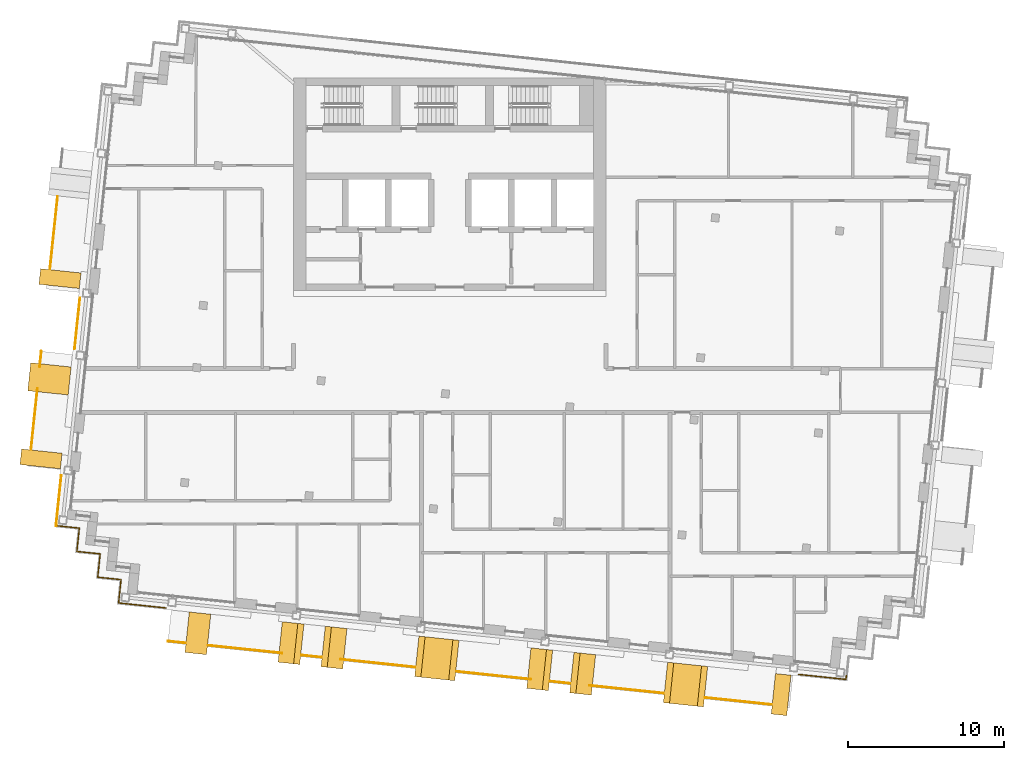
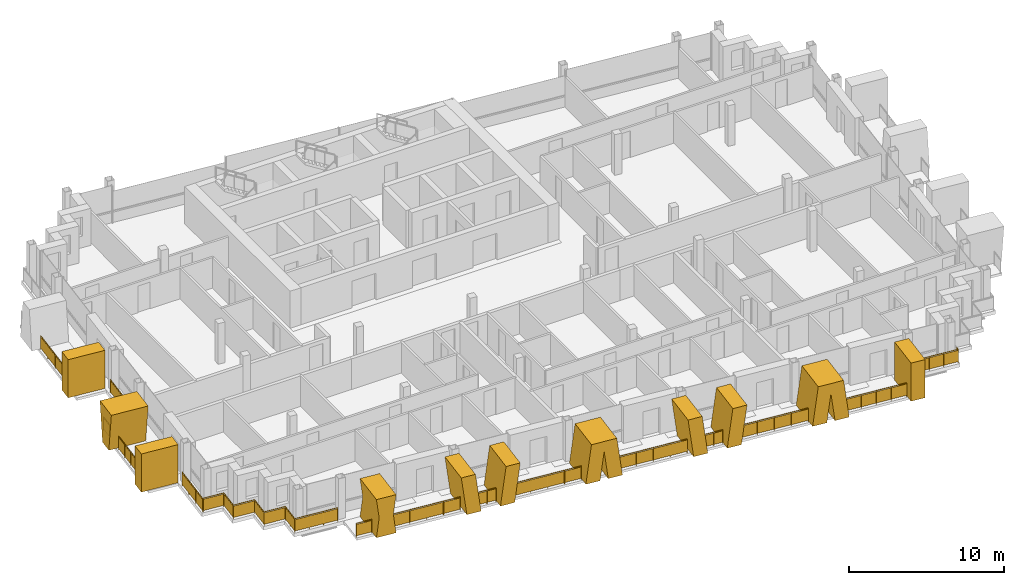
# One storey, part 14 of 17: 15 railings, 11 shading devices.
"""IFC4 building model written with IfcOpenShell, lengths in metres."""

from ifc_helpers import new_model, si_unit, direction, frame, origin, origin_2d, place, context, subcontext, project, spatial, polyline, rectangle, circle, outline, extrude, material, layer, layer_set, type_object, element, save


model = new_model("IFC4")

# Units and contexts
model_context = context("Model", 3, precision=1e-05, world=origin(), true_north=direction((0.0, 1.0)))
body_context = subcontext(model_context, "Body", "Model", "MODEL_VIEW")
ifc_project = project(units=[si_unit("LENGTHUNIT", "METRE"), si_unit("AREAUNIT", "SQUARE_METRE"), si_unit("VOLUMEUNIT", "CUBIC_METRE"), si_unit("PLANEANGLEUNIT", "RADIAN"), si_unit("MASSUNIT", "GRAM", prefix="KILO")], contexts=[model_context])

# Site, building, storey
site_placement = place(None, origin())
site = spatial("IfcSite", under=ifc_project, at=site_placement, CompositionType="ELEMENT")
building_placement = place(site_placement, origin())
building = spatial("IfcBuilding", under=site, at=building_placement, Name="Vidyagriha Tower", CompositionType="ELEMENT")
storey_placement = place(building_placement, frame((0.0, 0.0, 262.699951171875)))
storey = spatial("IfcBuildingStorey", under=building, at=storey_placement, Name="L68", CompositionType="ELEMENT", Elevation=262.699951171875)

# Railings
ifc_material_1 = material(Name="Steel ASTM A500 Grade C black painted", Category="steel")
railing_type_1 = type_object("IfcRailingType", Name="Balcony guard 1100", PredefinedType="BALUSTRADE", material=ifc_material_1)
railing_1_placement = place(storey_placement, frame((-25.09521484375, 12.40185546875, 0.0)))
element("IfcRailing", 1, at=railing_1_placement, inside=storey, type_object=railing_type_1, Name="Balcony guard L68 R14.1-2", PredefinedType="BALUSTRADE", context=body_context, shape_type="SweptSolid", body=[
    extrude(circle(Radius=0.02490234375, at=origin_2d()), frame((0.0, 0.0, 1.0751953125), z_axis=(-0.104534465087, -0.994521264533, 0.0), x_axis=(0.994521264533, -0.104534465087, 0.0)), (0.0, 0.0, 1.0), 4.64990234375),
    extrude(circle(Radius=0.02001953125, at=origin_2d()), origin(), (0.0, 0.0, 1.0), 1.050048828125),
    extrude(circle(Radius=0.02001953125, at=origin_2d()), frame((-0.12158203125, -1.15625, 0.0)), (0.0, 0.0, 1.0), 1.050048828125),
    extrude(circle(Radius=0.02001953125, at=origin_2d()), frame((-0.2431640625, -2.312255859375, 0.0)), (0.0, 0.0, 1.0), 1.050048828125),
    extrude(circle(Radius=0.02001953125, at=origin_2d()), frame((-0.364501953125, -3.46826171875, 0.0)), (0.0, 0.0, 1.0), 1.050048828125),
    extrude(circle(Radius=0.02001953125, at=origin_2d()), frame((-0.486083984375, -4.62451171875, 0.0)), (0.0, 0.0, 1.0), 1.050048828125),
    extrude(rectangle(XDim=0.010009765625, YDim=0.900146484375, at=origin_2d()), frame((0.0, 0.0, 0.550048828125), z_axis=(-0.104534465087, -0.994521264533, 0.0), x_axis=(0.994521264533, -0.104534465087, 0.0)), (0.0, 0.0, 1.0), 4.64990234375),
])
railing_2_placement = place(storey_placement, frame((-26.13525390625, 2.50634765625, 0.0)))
element("IfcRailing", 2, at=railing_2_placement, inside=storey, type_object=railing_type_1, Name="Balcony guard L68 R14.2-1", PredefinedType="BALUSTRADE", context=body_context, shape_type="SweptSolid", body=[
    extrude(circle(Radius=0.02490234375, at=origin_2d()), frame((0.0, 0.0, 1.0751953125), z_axis=(-0.104595526741, -0.994514844427, 0.0), x_axis=(0.994514844427, -0.104595526741, 0.0)), (0.0, 0.0, 1.0), 0.99658203125),
    extrude(circle(Radius=0.02001953125, at=origin_2d()), origin(), (0.0, 0.0, 1.0), 1.050048828125),
    extrude(circle(Radius=0.02001953125, at=origin_2d()), frame((-0.104248046875, -0.9912109375, 0.0)), (0.0, 0.0, 1.0), 1.050048828125),
    extrude(rectangle(XDim=0.010009765625, YDim=0.900146484375, at=origin_2d()), frame((0.0, 0.0, 0.550048828125), z_axis=(-0.104595526741, -0.994514844427, 0.0), x_axis=(0.994514844427, -0.104595526741, 0.0)), (0.0, 0.0, 1.0), 0.99658203125),
])
railing_3_placement = place(storey_placement, frame((-26.386474609375, 0.1162109375, 0.0)))
element("IfcRailing", 3, at=railing_3_placement, inside=storey, type_object=railing_type_1, Name="Balcony guard L68 R14.2-2", PredefinedType="BALUSTRADE", context=body_context, shape_type="SweptSolid", body=[
    extrude(circle(Radius=0.02490234375, at=origin_2d()), frame((0.0, 0.0, 1.0751953125), z_axis=(-0.104570632183, -0.994517462333, 0.0), x_axis=(0.994517462333, -0.104570632183, 0.0)), (0.0, 0.0, 1.0), 3.896728515625),
    extrude(circle(Radius=0.02001953125, at=origin_2d()), origin(), (0.0, 0.0, 1.0), 1.050048828125),
    extrude(circle(Radius=0.02001953125, at=origin_2d()), frame((-0.101806640625, -0.96875, 0.0)), (0.0, 0.0, 1.0), 1.050048828125),
    extrude(circle(Radius=0.02001953125, at=origin_2d()), frame((-0.20361328125, -1.9375, 0.0)), (0.0, 0.0, 1.0), 1.050048828125),
    extrude(circle(Radius=0.02001953125, at=origin_2d()), frame((-0.3056640625, -2.906494140625, 0.0)), (0.0, 0.0, 1.0), 1.050048828125),
    extrude(circle(Radius=0.02001953125, at=origin_2d()), frame((-0.407470703125, -3.875244140625, 0.0)), (0.0, 0.0, 1.0), 1.050048828125),
    extrude(rectangle(XDim=0.010009765625, YDim=0.900146484375, at=origin_2d()), frame((0.0, 0.0, 0.550048828125), z_axis=(-0.104570632183, -0.994517462333, 0.0), x_axis=(0.994517462333, -0.104570632183, 0.0)), (0.0, 0.0, 1.0), 3.896728515625),
])
railing_4_placement = place(storey_placement, frame((-18.02978515625, -16.04248046875, 0.0)))
element("IfcRailing", 4, at=railing_4_placement, inside=storey, type_object=railing_type_1, Name="Balcony guard L68 R21.1-1", PredefinedType="BALUSTRADE", context=body_context, shape_type="SweptSolid", body=[
    extrude(circle(Radius=0.02490234375, at=origin_2d()), frame((0.0, 0.0, 1.0751953125), z_axis=(0.994522356151, -0.104524079117, 0.0), x_axis=(0.104524079117, 0.994522356151, 0.0)), (0.0, 0.0, 1.0), 1.107177734375),
    extrude(circle(Radius=0.02001953125, at=origin_2d()), origin(), (0.0, 0.0, 1.0), 1.050048828125),
    extrude(circle(Radius=0.02001953125, at=origin_2d()), frame((1.10107421875, -0.11572265625, 0.0)), (0.0, 0.0, 1.0), 1.050048828125),
    extrude(rectangle(XDim=0.010009765625, YDim=0.900146484375, at=origin_2d()), frame((0.0, 0.0, 0.550048828125), z_axis=(0.994522356151, -0.104524079117, 0.0), x_axis=(0.104524079117, 0.994522356151, 0.0)), (0.0, 0.0, 1.0), 1.107177734375),
])
railing_5_placement = place(storey_placement, frame((-15.450927734375, -16.3134765625, 0.0)))
element("IfcRailing", 5, at=railing_5_placement, inside=storey, type_object=railing_type_1, Name="Balcony guard L68 R21.1-2", PredefinedType="BALUSTRADE", context=body_context, shape_type="SweptSolid", body=[
    extrude(circle(Radius=0.02490234375, at=origin_2d()), frame((0.0, 0.0, 1.0751953125), z_axis=(0.994520665061, -0.104540168196, 0.0), x_axis=(0.104540168196, 0.994520665061, 0.0)), (0.0, 0.0, 1.0), 4.74560546875),
    extrude(circle(Radius=0.02001953125, at=origin_2d()), origin(), (0.0, 0.0, 1.0), 1.050048828125),
    extrude(circle(Radius=0.02001953125, at=origin_2d()), frame((1.179931640625, -0.1240234375, 0.0)), (0.0, 0.0, 1.0), 1.050048828125),
    extrude(circle(Radius=0.02001953125, at=origin_2d()), frame((2.35986328125, -0.248046875, 0.0)), (0.0, 0.0, 1.0), 1.050048828125),
    extrude(circle(Radius=0.02001953125, at=origin_2d()), frame((3.53955078125, -0.3720703125, 0.0)), (0.0, 0.0, 1.0), 1.050048828125),
    extrude(circle(Radius=0.02001953125, at=origin_2d()), frame((4.719482421875, -0.49609375, 0.0)), (0.0, 0.0, 1.0), 1.050048828125),
    extrude(rectangle(XDim=0.010009765625, YDim=0.900146484375, at=origin_2d()), frame((0.0, 0.0, 0.550048828125), z_axis=(0.994520665061, -0.104540168196, 0.0), x_axis=(0.104540168196, 0.994520665061, 0.0)), (0.0, 0.0, 1.0), 4.74560546875),
])
railing_6_placement = place(storey_placement, frame((-9.48681640625, -16.9404296875, 0.0)))
element("IfcRailing", 6, at=railing_6_placement, inside=storey, type_object=railing_type_1, Name="Balcony guard L68 R21.1-3", PredefinedType="BALUSTRADE", context=body_context, shape_type="SweptSolid", body=[
    extrude(circle(Radius=0.02490234375, at=origin_2d()), frame((0.0, 0.0, 1.0751953125), z_axis=(0.994518084438, -0.104564715488, 0.0), x_axis=(0.104564715488, 0.994518084438, 0.0)), (0.0, 0.0, 1.0), 1.270263671875),
    extrude(circle(Radius=0.02001953125, at=origin_2d()), origin(), (0.0, 0.0, 1.0), 1.050048828125),
    extrude(circle(Radius=0.02001953125, at=origin_2d()), frame((0.631591796875, -0.06640625, 0.0)), (0.0, 0.0, 1.0), 1.050048828125),
    extrude(circle(Radius=0.02001953125, at=origin_2d()), frame((1.26318359375, -0.1328125, 0.0)), (0.0, 0.0, 1.0), 1.050048828125),
    extrude(rectangle(XDim=0.010009765625, YDim=0.900146484375, at=origin_2d()), frame((0.0, 0.0, 0.550048828125), z_axis=(0.994518084438, -0.104564715488, 0.0), x_axis=(0.104564715488, 0.994518084438, 0.0)), (0.0, 0.0, 1.0), 1.270263671875),
])
railing_7_placement = place(storey_placement, frame((-6.979248046875, -17.2041015625, 0.0)))
element("IfcRailing", 7, at=railing_7_placement, inside=storey, type_object=railing_type_1, Name="Balcony guard L68 R21.1-4", PredefinedType="BALUSTRADE", context=body_context, shape_type="SweptSolid", body=[
    extrude(circle(Radius=0.02490234375, at=origin_2d()), frame((0.0, 0.0, 1.0751953125), z_axis=(0.994526450542, -0.104485114597, 0.0), x_axis=(0.104485114597, 0.994526450542, 0.0)), (0.0, 0.0, 1.0), 4.773681640625),
    extrude(circle(Radius=0.02001953125, at=origin_2d()), origin(), (0.0, 0.0, 1.0), 1.050048828125),
    extrude(circle(Radius=0.02001953125, at=origin_2d()), frame((1.18701171875, -0.124755859375, 0.0)), (0.0, 0.0, 1.0), 1.050048828125),
    extrude(circle(Radius=0.02001953125, at=origin_2d()), frame((2.373779296875, -0.24951171875, 0.0)), (0.0, 0.0, 1.0), 1.050048828125),
    extrude(circle(Radius=0.02001953125, at=origin_2d()), frame((3.560546875, -0.3740234375, 0.0)), (0.0, 0.0, 1.0), 1.050048828125),
    extrude(circle(Radius=0.02001953125, at=origin_2d()), frame((4.74755859375, -0.498779296875, 0.0)), (0.0, 0.0, 1.0), 1.050048828125),
    extrude(rectangle(XDim=0.010009765625, YDim=0.900146484375, at=origin_2d()), frame((0.0, 0.0, 0.550048828125), z_axis=(0.994526450542, -0.104485114597, 0.0), x_axis=(0.104485114597, 0.994526450542, 0.0)), (0.0, 0.0, 1.0), 4.773681640625),
])
railing_8_placement = place(storey_placement, frame((0.43359375, -17.983154296875, 0.0)))
element("IfcRailing", 8, at=railing_8_placement, inside=storey, type_object=railing_type_1, Name="Balcony guard L68 R21.1-5", PredefinedType="BALUSTRADE", context=body_context, shape_type="SweptSolid", body=[
    extrude(circle(Radius=0.02490234375, at=origin_2d()), frame((0.0, 0.0, 1.0751953125), z_axis=(0.994520575937, -0.104541016056, 0.0), x_axis=(0.104541016056, 0.994520575937, 0.0)), (0.0, 0.0, 1.0), 4.7734375),
    extrude(circle(Radius=0.02001953125, at=origin_2d()), origin(), (0.0, 0.0, 1.0), 1.050048828125),
    extrude(circle(Radius=0.02001953125, at=origin_2d()), frame((1.186767578125, -0.124755859375, 0.0)), (0.0, 0.0, 1.0), 1.050048828125),
    extrude(circle(Radius=0.02001953125, at=origin_2d()), frame((2.37353515625, -0.24951171875, 0.0)), (0.0, 0.0, 1.0), 1.050048828125),
    extrude(circle(Radius=0.02001953125, at=origin_2d()), frame((3.560546875, -0.374267578125, 0.0)), (0.0, 0.0, 1.0), 1.050048828125),
    extrude(circle(Radius=0.02001953125, at=origin_2d()), frame((4.747314453125, -0.4990234375, 0.0)), (0.0, 0.0, 1.0), 1.050048828125),
    extrude(rectangle(XDim=0.010009765625, YDim=0.900146484375, at=origin_2d()), frame((0.0, 0.0, 0.550048828125), z_axis=(0.994520575937, -0.104541016056, 0.0), x_axis=(0.104541016056, 0.994520575937, 0.0)), (0.0, 0.0, 1.0), 4.7734375),
])
railing_9_placement = place(storey_placement, frame((6.425537109375, -18.61279296875, 0.0)))
element("IfcRailing", 9, at=railing_9_placement, inside=storey, type_object=railing_type_1, Name="Balcony guard L68 R21.1-6", PredefinedType="BALUSTRADE", context=body_context, shape_type="SweptSolid", body=[
    extrude(circle(Radius=0.02490234375, at=origin_2d()), frame((0.0, 0.0, 1.0751953125), z_axis=(0.994518084438, -0.104564715488, 0.0), x_axis=(0.104564715488, 0.994518084438, 0.0)), (0.0, 0.0, 1.0), 1.270263671875),
    extrude(circle(Radius=0.02001953125, at=origin_2d()), origin(), (0.0, 0.0, 1.0), 1.050048828125),
    extrude(circle(Radius=0.02001953125, at=origin_2d()), frame((0.631591796875, -0.06640625, 0.0)), (0.0, 0.0, 1.0), 1.050048828125),
    extrude(circle(Radius=0.02001953125, at=origin_2d()), frame((1.26318359375, -0.1328125, 0.0)), (0.0, 0.0, 1.0), 1.050048828125),
    extrude(rectangle(XDim=0.010009765625, YDim=0.900146484375, at=origin_2d()), frame((0.0, 0.0, 0.550048828125), z_axis=(0.994518084438, -0.104564715488, 0.0), x_axis=(0.104564715488, 0.994518084438, 0.0)), (0.0, 0.0, 1.0), 1.270263671875),
])
railing_10_placement = place(storey_placement, frame((8.93310546875, -18.87646484375, 0.0)))
element("IfcRailing", 10, at=railing_10_placement, inside=storey, type_object=railing_type_1, Name="Balcony guard L68 R21.1-7", PredefinedType="BALUSTRADE", context=body_context, shape_type="SweptSolid", body=[
    extrude(circle(Radius=0.02490234375, at=origin_2d()), frame((0.0, 0.0, 1.0751953125), z_axis=(0.994521134852, -0.10453569884, 0.0), x_axis=(0.10453569884, 0.994521134852, 0.0)), (0.0, 0.0, 1.0), 4.773681640625),
    extrude(circle(Radius=0.02001953125, at=origin_2d()), origin(), (0.0, 0.0, 1.0), 1.050048828125),
    extrude(circle(Radius=0.02001953125, at=origin_2d()), frame((1.18701171875, -0.124755859375, 0.0)), (0.0, 0.0, 1.0), 1.050048828125),
    extrude(circle(Radius=0.02001953125, at=origin_2d()), frame((2.373779296875, -0.24951171875, 0.0)), (0.0, 0.0, 1.0), 1.050048828125),
    extrude(circle(Radius=0.02001953125, at=origin_2d()), frame((3.560546875, -0.374267578125, 0.0)), (0.0, 0.0, 1.0), 1.050048828125),
    extrude(circle(Radius=0.02001953125, at=origin_2d()), frame((4.74755859375, -0.4990234375, 0.0)), (0.0, 0.0, 1.0), 1.050048828125),
    extrude(rectangle(XDim=0.010009765625, YDim=0.900146484375, at=origin_2d()), frame((0.0, 0.0, 0.550048828125), z_axis=(0.994521134852, -0.10453569884, 0.0), x_axis=(0.10453569884, 0.994521134852, 0.0)), (0.0, 0.0, 1.0), 4.773681640625),
])
railing_11_placement = place(storey_placement, frame((16.345947265625, -19.655517578125, 0.0)))
element("IfcRailing", 11, at=railing_11_placement, inside=storey, type_object=railing_type_1, Name="Balcony guard L68 R21.1-8", PredefinedType="BALUSTRADE", context=body_context, shape_type="SweptSolid", body=[
    extrude(circle(Radius=0.02490234375, at=origin_2d()), frame((0.0, 0.0, 1.0751953125), z_axis=(0.994521143432, -0.10453561722, 0.0), x_axis=(0.10453561722, 0.994521143432, 0.0)), (0.0, 0.0, 1.0), 4.260009765625),
    extrude(circle(Radius=0.02001953125, at=origin_2d()), origin(), (0.0, 0.0, 1.0), 1.050048828125),
    extrude(circle(Radius=0.02001953125, at=origin_2d()), frame((1.05908203125, -0.111328125, 0.0)), (0.0, 0.0, 1.0), 1.050048828125),
    extrude(circle(Radius=0.02001953125, at=origin_2d()), frame((2.1181640625, -0.22265625, 0.0)), (0.0, 0.0, 1.0), 1.050048828125),
    extrude(circle(Radius=0.02001953125, at=origin_2d()), frame((3.177490234375, -0.333984375, 0.0)), (0.0, 0.0, 1.0), 1.050048828125),
    extrude(circle(Radius=0.02001953125, at=origin_2d()), frame((4.236572265625, -0.4453125, 0.0)), (0.0, 0.0, 1.0), 1.050048828125),
    extrude(rectangle(XDim=0.010009765625, YDim=0.900146484375, at=origin_2d()), frame((0.0, 0.0, 0.550048828125), z_axis=(0.994521143432, -0.10453561722, 0.0), x_axis=(0.10453561722, 0.994521143432, 0.0)), (0.0, 0.0, 1.0), 4.260009765625),
])

# Shading devices
ifc_material_2 = material(Name="Precast concrete C40/50 with buff brick facing", Category="concrete")
ifc_layer_1 = layer(ifc_material_2, 1.0)
ifc_layer_set_1 = layer_set([ifc_layer_1], Name="Precast concrete C40/50 with buff brick facing")
shading_device_type_1 = type_object("IfcShadingDeviceType", Name="Brick-faced blade fin arm leaning 8 degrees", PredefinedType="USERDEFINED", material=ifc_layer_set_1)
shading_device_1_placement = place(storey_placement, frame((-8.100830078125, -16.382080078125, 0.0), z_axis=(0.0, 0.0, 1.0), x_axis=(0.99450928781, -0.104648346667, 0.0)))
element("IfcShadingDevice", 12, at=shading_device_1_placement, inside=storey, type_object=shading_device_type_1, Name="Leaning blade fin L68 R21.1030a", ObjectType="BLADE FIN", PredefinedType="USERDEFINED", context=body_context, shape_type="SweptSolid", body=[
    extrude(outline(polyline([(0.0, 0.0), (1.0, 0.0), (1.39501953125, 3.0), (0.39501953125, 3.0), (0.0, 0.0)])), frame((0.0, 1.300048828125, 0.0), z_axis=(0.0, -1.0, 0.0), x_axis=(1.0, 0.0, 0.0)), (0.0, 0.0, 1.0), 2.60009765625),
])
shading_device_2_placement = place(storey_placement, frame((-10.8505859375, -16.09326171875, 0.0), z_axis=(0.0, 0.0, 1.0), x_axis=(0.994525575058, -0.104493447432, 0.0)))
element("IfcShadingDevice", 13, at=shading_device_2_placement, inside=storey, type_object=shading_device_type_1, Name="Leaning blade fin L68 R21.1030b", ObjectType="BLADE FIN", PredefinedType="USERDEFINED", context=body_context, shape_type="SweptSolid", body=[
    extrude(outline(polyline([(0.39501953125, 0.0), (1.39501953125, 0.0), (1.0, 3.0), (0.0, 3.0), (0.39501953125, 0.0)])), frame((0.0, 1.300048828125, 0.0), z_axis=(0.0, -1.0, 0.0), x_axis=(1.0, 0.0, 0.0)), (0.0, 0.0, 1.0), 2.60009765625),
])
shading_device_3_placement = place(storey_placement, frame((7.8115234375, -18.0546875, 0.0), z_axis=(0.0, 0.0, 1.0), x_axis=(0.9945274857, -0.104475261123, 0.0)))
element("IfcShadingDevice", 14, at=shading_device_3_placement, inside=storey, type_object=shading_device_type_1, Name="Leaning blade fin L68 R21.2630a", ObjectType="BLADE FIN", PredefinedType="USERDEFINED", context=body_context, shape_type="SweptSolid", body=[
    extrude(outline(polyline([(0.0, 0.0), (1.0, 0.0), (1.39501953125, 3.0), (0.39501953125, 3.0), (0.0, 0.0)])), frame((0.0, 1.300048828125, 0.0), z_axis=(0.0, -1.0, 0.0), x_axis=(1.0, 0.0, 0.0)), (0.0, 0.0, 1.0), 2.60009765625),
])
shading_device_4_placement = place(storey_placement, frame((5.061767578125, -17.765625, 0.0), z_axis=(0.0, 0.0, 1.0), x_axis=(0.994507370866, -0.104666562439, 0.0)))
element("IfcShadingDevice", 15, at=shading_device_4_placement, inside=storey, type_object=shading_device_type_1, Name="Leaning blade fin L68 R21.2630b", ObjectType="BLADE FIN", PredefinedType="USERDEFINED", context=body_context, shape_type="SweptSolid", body=[
    extrude(outline(polyline([(0.39501953125, 0.0), (1.39501953125, 0.0), (1.0, 3.0), (0.0, 3.0), (0.39501953125, 0.0)])), frame((0.0, 1.300048828125, 0.0), z_axis=(0.0, -1.0, 0.0), x_axis=(1.0, 0.0, 0.0)), (0.0, 0.0, 1.0), 2.60009765625),
])
ifc_material_3 = material(Name="Precast concrete C40/50 with buff brick facing", Category="concrete")
ifc_layer_2 = layer(ifc_material_3, 1.0)
ifc_layer_set_2 = layer_set([ifc_layer_2], Name="Precast concrete C40/50 with buff brick facing")
shading_device_type_2 = type_object("IfcShadingDeviceType", Name="Brick-faced blade fin forking 8 degrees", PredefinedType="USERDEFINED", material=ifc_layer_set_2)
shading_device_5_placement = place(storey_placement, frame((-25.522705078125, 1.6376953125, 0.0), z_axis=(0.0, 0.0, 1.0), x_axis=(-0.104564767339, -0.994518078987, 0.0)))
element("IfcShadingDevice", 16, at=shading_device_5_placement, inside=storey, type_object=shading_device_type_2, Name="Forked blade fin L68 R14.1630a", ObjectType="BLADE FIN", PredefinedType="USERDEFINED", context=body_context, shape_type="SweptSolid", body=[
    extrude(outline(polyline([(0.39990234375, 0.0), (1.39990234375, 0.0), (1.800048828125, 3.0), (0.0, 3.0), (0.39990234375, 0.0)])), frame((0.0, 1.300048828125, 0.0), z_axis=(0.0, -1.0, 0.0), x_axis=(1.0, 0.0, 0.0)), (0.0, 0.0, 1.0), 2.60009765625),
])
shading_device_6_placement = place(storey_placement, frame((-16.805908203125, -15.46728515625, 0.0), z_axis=(0.0, 0.0, 1.0), x_axis=(0.994511242448, -0.104629769397, 0.0)))
element("IfcShadingDevice", 17, at=shading_device_6_placement, inside=storey, type_object=shading_device_type_2, Name="Forked blade fin L68 R21.230a", ObjectType="BLADE FIN", PredefinedType="USERDEFINED", context=body_context, shape_type="SweptSolid", body=[
    extrude(outline(polyline([(0.0, 0.0), (1.3857421875, 0.0), (1.19287109375, 1.5), (1.3857421875, 3.0), (0.0, 3.0), (0.19287109375, 1.5), (0.0, 0.0)])), frame((0.0, 1.300048828125, 0.0), z_axis=(0.0, -1.0, 0.0), x_axis=(1.0, 0.0, 0.0)), (0.0, 0.0, 1.0), 2.60009765625),
])
for number, where, z_axis, x_axis, name in (
    (18, (-2.10888671875, -17.011962890625, 0.0), (0.0, 0.0, 1.0), (0.994518407752, -0.104561640396, 0.0), "Forked blade fin L68 R21.1830a"),
    (19, (13.803466796875, -18.6845703125, 0.0), (0.0, 0.0, 1.0), (0.994528243451, -0.104468047647, 0.0), "Forked blade fin L68 R21.3430a"),
):
    element("IfcShadingDevice", number, at=place(storey_placement, frame(where, z_axis=z_axis, x_axis=x_axis)), inside=storey, type_object=shading_device_type_2, Name=name, ObjectType="BLADE FIN", PredefinedType="USERDEFINED", context=body_context, shape_type="SweptSolid", body=[
        extrude(outline(polyline([(1.0, 0.0), (1.2900390625, 2.20263671875), (1.580078125, 0.0), (2.580078125, 0.0), (2.18505859375, 3.0), (0.39501953125, 3.0), (0.0, 0.0), (1.0, 0.0)])), frame((0.0, 1.300048828125, 0.0), z_axis=(0.0, -1.0, 0.0), x_axis=(1.0, 0.0, 0.0)), (0.0, 0.0, 1.0), 2.60009765625),
    ])
ifc_material_4 = material(Name="Precast concrete C40/50 with buff brick facing", Category="concrete")
ifc_layer_3 = layer(ifc_material_4, 1.0)
ifc_layer_set_3 = layer_set([ifc_layer_3], Name="Precast concrete C40/50 with buff brick facing")
shading_device_type_3 = type_object("IfcShadingDeviceType", Name="Brick-faced blade fin stem 1000", PredefinedType="USERDEFINED", material=ifc_layer_set_3)
for number, where, z_axis, x_axis, name in (
    (20, (-24.890380859375, 7.654541015625, 0.0), (0.0, 0.0, 1.0), (-0.104481464157, -0.994526834051, 0.0), "Stem blade fin L68 R14.1230a"),
    (21, (-26.102783203125, -3.882080078125, 0.0), (0.0, 0.0, 1.0), (-0.104748335039, -0.99449876134, 0.0), "Stem blade fin L68 R14.2370a"),
    (22, (20.70556640625, -19.409912109375, 0.0), (0.0, 0.0, 1.0), (0.994524168223, -0.104506836238, 0.0), "Stem blade fin L68 R21.4230a"),
):
    element("IfcShadingDevice", number, at=place(storey_placement, frame(where, z_axis=z_axis, x_axis=x_axis)), inside=storey, type_object=shading_device_type_3, Name=name, ObjectType="BLADE FIN", PredefinedType="USERDEFINED", context=body_context, shape_type="SweptSolid", body=[
        extrude(outline(polyline([(0.0, 0.0), (1.0, 0.0), (1.0, 3.0), (0.0, 3.0), (0.0, 0.0)])), frame((0.0, 1.300048828125, 0.0), z_axis=(0.0, -1.0, 0.0), x_axis=(1.0, 0.0, 0.0)), (0.0, 0.0, 1.0), 2.60009765625),
    ])

# Railings
ifc_material_5 = material(Name="Steel ASTM A500 Grade C black painted", Category="steel")
railing_type_2 = type_object("IfcRailingType", Name="Gallery guard 1100", PredefinedType="GUARDRAIL", material=ifc_material_5)
railing_12_placement = place(storey_placement, frame((-18.168212890625, -13.91650390625, 0.0)))
element("IfcRailing", 23, at=railing_12_placement, inside=storey, type_object=railing_type_2, Name="Gallery guard L68 1", PredefinedType="GUARDRAIL", context=body_context, shape_type="SweptSolid", body=[
    extrude(circle(Radius=0.02490234375, at=origin_2d()), frame((0.0, 0.0, 1.0751953125), z_axis=(-0.994518646122, 0.104559373163, 0.0), x_axis=(-0.104559373163, -0.994518646122, 0.0)), (0.0, 0.0, 1.0), 3.0400390625),
    extrude(circle(Radius=0.02490234375, at=origin_2d()), frame((-3.0234375, 0.31787109375, 1.0751953125), z_axis=(0.104481464157, 0.994526834051, 0.0), x_axis=(-0.994526834051, 0.104481464157, 0.0)), (0.0, 0.0, 1.0), 1.500244140625),
    extrude(circle(Radius=0.02490234375, at=origin_2d()), frame((-2.86669921875, 1.809814453125, 1.0751953125), z_axis=(-0.994525057048, 0.104498377516, 0.0), x_axis=(-0.104498377516, -0.994525057048, 0.0)), (0.0, 0.0, 1.0), 1.5),
    extrude(circle(Radius=0.02490234375, at=origin_2d()), frame((-4.3583984375, 1.966552734375, 1.0751953125), z_axis=(0.104498377516, 0.994525057048, 0.0), x_axis=(-0.994525057048, 0.104498377516, 0.0)), (0.0, 0.0, 1.0), 1.5),
    extrude(circle(Radius=0.02490234375, at=origin_2d()), frame((-4.20166015625, 3.458251953125, 1.0751953125), z_axis=(-0.994525057048, 0.104498377516, 0.0), x_axis=(-0.104498377516, -0.994525057048, 0.0)), (0.0, 0.0, 1.0), 1.5),
    extrude(circle(Radius=0.02490234375, at=origin_2d()), frame((-5.693359375, 3.614990234375, 1.0751953125), z_axis=(0.104498377516, 0.994525057048, 0.0), x_axis=(-0.994525057048, 0.104498377516, 0.0)), (0.0, 0.0, 1.0), 1.5),
    extrude(circle(Radius=0.02490234375, at=origin_2d()), frame((-5.53662109375, 5.106689453125, 1.0751953125), z_axis=(-0.994505452921, 0.104684784518, 0.0), x_axis=(-0.104684784518, -0.994505452921, 0.0)), (0.0, 0.0, 1.0), 1.4599609375),
    extrude(circle(Radius=0.02001953125, at=origin_2d()), origin(), (0.0, 0.0, 1.0), 1.050048828125),
    extrude(circle(Radius=0.02001953125, at=origin_2d()), frame((-1.0078125, 0.10595703125, 0.0)), (0.0, 0.0, 1.0), 1.050048828125),
    extrude(circle(Radius=0.02001953125, at=origin_2d()), frame((-2.015625, 0.2119140625, 0.0)), (0.0, 0.0, 1.0), 1.050048828125),
    extrude(circle(Radius=0.02001953125, at=origin_2d()), frame((-3.0234375, 0.31787109375, 0.0)), (0.0, 0.0, 1.0), 1.050048828125),
    extrude(circle(Radius=0.02001953125, at=origin_2d()), frame((-2.945068359375, 1.06396484375, 0.0)), (0.0, 0.0, 1.0), 1.050048828125),
    extrude(circle(Radius=0.02001953125, at=origin_2d()), frame((-2.86669921875, 1.809814453125, 0.0)), (0.0, 0.0, 1.0), 1.050048828125),
    extrude(circle(Radius=0.02001953125, at=origin_2d()), frame((-4.3583984375, 1.966552734375, 0.0)), (0.0, 0.0, 1.0), 1.050048828125),
    extrude(circle(Radius=0.02001953125, at=origin_2d()), frame((-4.20166015625, 3.458251953125, 0.0)), (0.0, 0.0, 1.0), 1.050048828125),
    extrude(circle(Radius=0.02001953125, at=origin_2d()), frame((-5.693359375, 3.614990234375, 0.0)), (0.0, 0.0, 1.0), 1.050048828125),
    extrude(circle(Radius=0.02001953125, at=origin_2d()), frame((-5.53662109375, 5.106689453125, 0.0)), (0.0, 0.0, 1.0), 1.050048828125),
    extrude(circle(Radius=0.02001953125, at=origin_2d()), frame((-6.988525390625, 5.259521484375, 0.0)), (0.0, 0.0, 1.0), 1.050048828125),
    extrude(rectangle(XDim=0.010009765625, YDim=0.900146484375, at=origin_2d()), frame((0.0, 0.0, 0.550048828125), z_axis=(-0.994518646122, 0.104559373163, 0.0), x_axis=(-0.104559373163, -0.994518646122, 0.0)), (0.0, 0.0, 1.0), 3.0400390625),
    extrude(rectangle(XDim=0.010009765625, YDim=0.900146484375, at=origin_2d()), frame((-3.0234375, 0.31787109375, 0.550048828125), z_axis=(0.104481464157, 0.994526834051, 0.0), x_axis=(-0.994526834051, 0.104481464157, 0.0)), (0.0, 0.0, 1.0), 1.500244140625),
    extrude(rectangle(XDim=0.010009765625, YDim=0.900146484375, at=origin_2d()), frame((-2.86669921875, 1.809814453125, 0.550048828125), z_axis=(-0.994525057048, 0.104498377516, 0.0), x_axis=(-0.104498377516, -0.994525057048, 0.0)), (0.0, 0.0, 1.0), 1.5),
    extrude(rectangle(XDim=0.010009765625, YDim=0.900146484375, at=origin_2d()), frame((-4.3583984375, 1.966552734375, 0.550048828125), z_axis=(0.104498377516, 0.994525057048, 0.0), x_axis=(-0.994525057048, 0.104498377516, 0.0)), (0.0, 0.0, 1.0), 1.5),
    extrude(rectangle(XDim=0.010009765625, YDim=0.900146484375, at=origin_2d()), frame((-4.20166015625, 3.458251953125, 0.550048828125), z_axis=(-0.994525057048, 0.104498377516, 0.0), x_axis=(-0.104498377516, -0.994525057048, 0.0)), (0.0, 0.0, 1.0), 1.5),
    extrude(rectangle(XDim=0.010009765625, YDim=0.900146484375, at=origin_2d()), frame((-5.693359375, 3.614990234375, 0.550048828125), z_axis=(0.104498377516, 0.994525057048, 0.0), x_axis=(-0.994525057048, 0.104498377516, 0.0)), (0.0, 0.0, 1.0), 1.5),
    extrude(rectangle(XDim=0.010009765625, YDim=0.900146484375, at=origin_2d()), frame((-5.53662109375, 5.106689453125, 0.550048828125), z_axis=(-0.994505452921, 0.104684784518, 0.0), x_axis=(-0.104684784518, -0.994505452921, 0.0)), (0.0, 0.0, 1.0), 1.4599609375),
])
railing_13_placement = place(storey_placement, frame((-25.15673828125, -8.656982421875, 0.0)))
element("IfcRailing", 24, at=railing_13_placement, inside=storey, type_object=railing_type_2, Name="Gallery guard L68 2", PredefinedType="GUARDRAIL", context=body_context, shape_type="SweptSolid", body=[
    extrude(circle(Radius=0.02490234375, at=origin_2d()), frame((0.0, 0.0, 1.0751953125), z_axis=(-0.99460530117, 0.103731841226, 0.0), x_axis=(-0.103731841226, -0.99460530117, 0.0)), (0.0, 0.0, 1.0), 0.0400390625),
    extrude(circle(Radius=0.02490234375, at=origin_2d()), frame((-0.039794921875, 0.004150390625, 1.0751953125), z_axis=(0.104516113735, 0.994523193279, 0.0), x_axis=(-0.994523193279, 0.104516113735, 0.0)), (0.0, 0.0, 1.0), 3.239990234375),
    extrude(circle(Radius=0.02001953125, at=origin_2d()), origin(), (0.0, 0.0, 1.0), 1.050048828125),
    extrude(circle(Radius=0.02001953125, at=origin_2d()), frame((-0.039794921875, 0.004150390625, 0.0)), (0.0, 0.0, 1.0), 1.050048828125),
    extrude(circle(Radius=0.02001953125, at=origin_2d()), frame((0.072998046875, 1.078125, 0.0)), (0.0, 0.0, 1.0), 1.050048828125),
    extrude(circle(Radius=0.02001953125, at=origin_2d()), frame((0.18603515625, 2.15234375, 0.0)), (0.0, 0.0, 1.0), 1.050048828125),
    extrude(circle(Radius=0.02001953125, at=origin_2d()), frame((0.298828125, 3.226318359375, 0.0)), (0.0, 0.0, 1.0), 1.050048828125),
    extrude(rectangle(XDim=0.010009765625, YDim=0.900146484375, at=origin_2d()), frame((0.0, 0.0, 0.550048828125), z_axis=(-0.99460530117, 0.103731841226, 0.0), x_axis=(-0.103731841226, -0.99460530117, 0.0)), (0.0, 0.0, 1.0), 0.0400390625),
    extrude(rectangle(XDim=0.010009765625, YDim=0.900146484375, at=origin_2d()), frame((-0.039794921875, 0.004150390625, 0.550048828125), z_axis=(0.104516113735, 0.994523193279, 0.0), x_axis=(-0.994523193279, 0.104516113735, 0.0)), (0.0, 0.0, 1.0), 3.239990234375),
])
railing_14_placement = place(storey_placement, frame((-24.009033203125, 2.64501953125, 0.0)))
element("IfcRailing", 25, at=railing_14_placement, inside=storey, type_object=railing_type_2, Name="Gallery guard L68 3", PredefinedType="GUARDRAIL", context=body_context, shape_type="SweptSolid", body=[
    extrude(circle(Radius=0.02490234375, at=origin_2d()), frame((0.0, 0.0, 1.0751953125), z_axis=(0.104506547029, 0.994524198614, 0.0), x_axis=(-0.994524198614, 0.104506547029, 0.0)), (0.0, 0.0, 1.0), 3.280029296875),
    extrude(circle(Radius=0.02001953125, at=origin_2d()), origin(), (0.0, 0.0, 1.0), 1.050048828125),
    extrude(circle(Radius=0.02001953125, at=origin_2d()), frame((0.1142578125, 1.08740234375, 0.0)), (0.0, 0.0, 1.0), 1.050048828125),
    extrude(circle(Radius=0.02001953125, at=origin_2d()), frame((0.228515625, 2.174560546875, 0.0)), (0.0, 0.0, 1.0), 1.050048828125),
    extrude(circle(Radius=0.02001953125, at=origin_2d()), frame((0.3427734375, 3.261962890625, 0.0)), (0.0, 0.0, 1.0), 1.050048828125),
    extrude(rectangle(XDim=0.010009765625, YDim=0.900146484375, at=origin_2d()), frame((0.0, 0.0, 0.550048828125), z_axis=(0.104506547029, 0.994524198614, 0.0), x_axis=(-0.994524198614, 0.104506547029, 0.0)), (0.0, 0.0, 1.0), 3.280029296875),
])
railing_15_placement = place(storey_placement, frame((25.377197265625, -18.251953125, 0.0)))
element("IfcRailing", 26, at=railing_15_placement, inside=storey, type_object=railing_type_2, Name="Gallery guard L68 12", PredefinedType="GUARDRAIL", context=body_context, shape_type="SweptSolid", body=[
    extrude(circle(Radius=0.02490234375, at=origin_2d()), frame((0.0, 0.0, 1.0751953125), z_axis=(-0.104843742972, -0.994488707608, 0.0), x_axis=(0.994488707608, -0.104843742972, 0.0)), (0.0, 0.0, 1.0), 0.23974609375),
    extrude(circle(Radius=0.02490234375, at=origin_2d()), frame((-0.025146484375, -0.238525390625, 1.0751953125), z_axis=(-0.994518646122, 0.104559373163, 0.0), x_axis=(-0.104559373163, -0.994518646122, 0.0)), (0.0, 0.0, 1.0), 3.0400390625),
    extrude(circle(Radius=0.02001953125, at=origin_2d()), origin(), (0.0, 0.0, 1.0), 1.050048828125),
    extrude(circle(Radius=0.02001953125, at=origin_2d()), frame((-0.025146484375, -0.238525390625, 0.0)), (0.0, 0.0, 1.0), 1.050048828125),
    extrude(circle(Radius=0.02001953125, at=origin_2d()), frame((-1.032958984375, -0.132568359375, 0.0)), (0.0, 0.0, 1.0), 1.050048828125),
    extrude(circle(Radius=0.02001953125, at=origin_2d()), frame((-2.040771484375, -0.026611328125, 0.0)), (0.0, 0.0, 1.0), 1.050048828125),
    extrude(circle(Radius=0.02001953125, at=origin_2d()), frame((-3.048583984375, 0.079345703125, 0.0)), (0.0, 0.0, 1.0), 1.050048828125),
    extrude(rectangle(XDim=0.010009765625, YDim=0.900146484375, at=origin_2d()), frame((0.0, 0.0, 0.550048828125), z_axis=(-0.104843742972, -0.994488707608, 0.0), x_axis=(0.994488707608, -0.104843742972, 0.0)), (0.0, 0.0, 1.0), 0.23974609375),
    extrude(rectangle(XDim=0.010009765625, YDim=0.900146484375, at=origin_2d()), frame((-0.025146484375, -0.238525390625, 0.550048828125), z_axis=(-0.994518646122, 0.104559373163, 0.0), x_axis=(-0.104559373163, -0.994518646122, 0.0)), (0.0, 0.0, 1.0), 3.0400390625),
])

save(model, "model.ifc")
